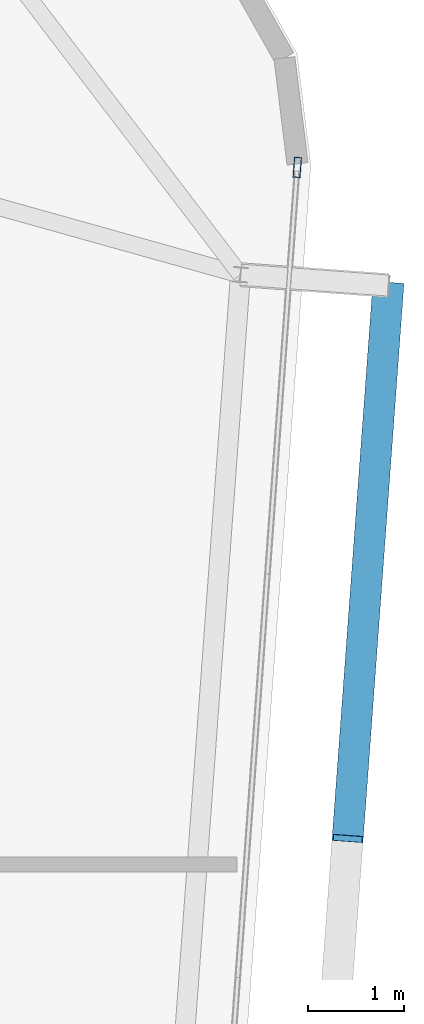
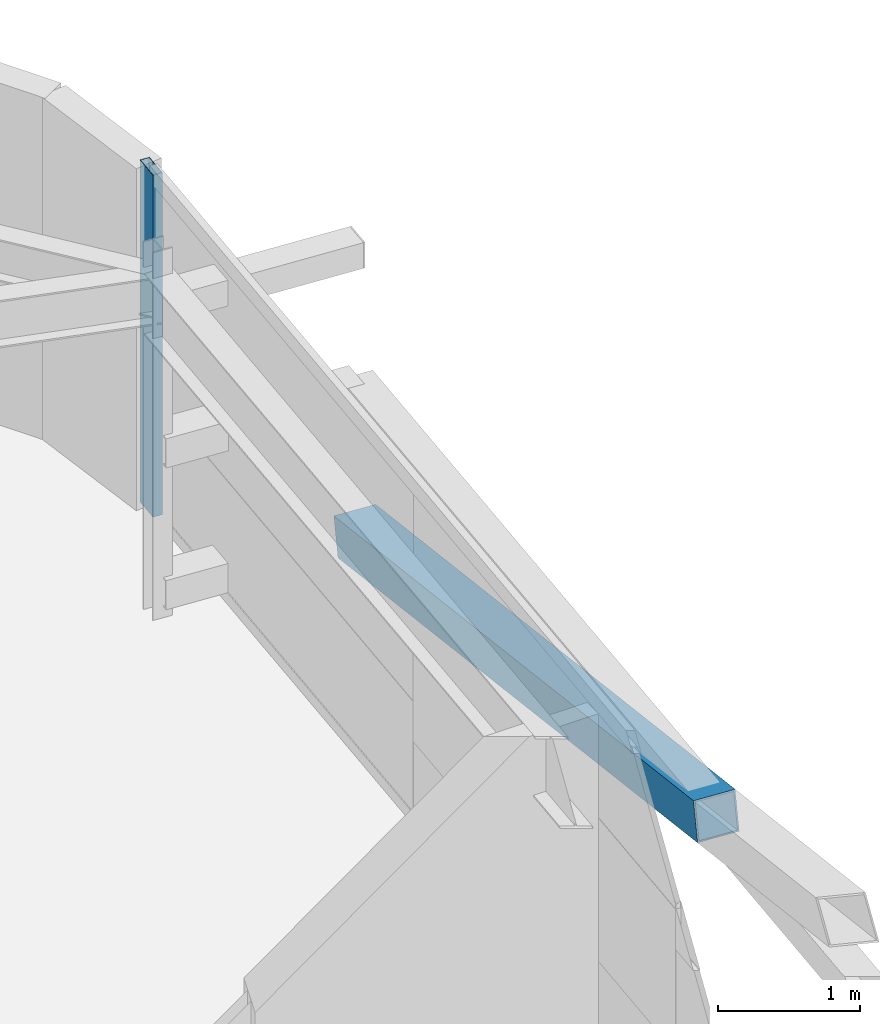
# One storey, part 19 of 35: 2 members, 1 element without a shape of its own.
"""IFC4 building model written with IfcOpenShell, lengths in metres."""

from ifc_helpers import new_model, si_unit, direction, frame, origin, origin_2d, place, context, subcontext, project, spatial, hollow_rectangle, extrude, source, transform, mapped, material, layer, layer_set, material_profile, profile_set, type_object, element, aggregate, save


model = new_model("IFC4")

# Units and contexts
model_context = context("Model", 3, precision=1e-05, world=origin(), true_north=direction((0.0, 1.0)))
body_context = subcontext(model_context, "Body", "Model", "MODEL_VIEW")
ifc_project = project(units=[si_unit("LENGTHUNIT", "METRE"), si_unit("AREAUNIT", "SQUARE_METRE"), si_unit("VOLUMEUNIT", "CUBIC_METRE"), si_unit("PLANEANGLEUNIT", "RADIAN"), si_unit("MASSUNIT", "GRAM", prefix="KILO")], contexts=[model_context])

# Site, building, storey
site_placement = place(None, origin())
site = spatial("IfcSite", under=ifc_project, at=site_placement, CompositionType="ELEMENT")
building_placement = place(site_placement, origin())
building = spatial("IfcBuilding", under=site, at=building_placement, Name="Taldren Reach Tower", CompositionType="ELEMENT")
storey_placement = place(building_placement, frame((0.0, 0.0, 236.60009765625)))
storey = spatial("IfcBuildingStorey", under=building, at=storey_placement, Name="L72", CompositionType="ELEMENT", Elevation=236.60009765625)

# Member
ifc_material_1 = material(Name="Steel Gr 450 (C450L0)", Category="steel")
ifc_material_profile_1 = material_profile(ifc_material_1, hollow_rectangle(XDim=0.324951171875, YDim=0.324951171875, WallThickness=0.0126953125, at=origin_2d()), Name="325x325x12.7SHS")
ifc_profile_set_1 = profile_set([ifc_material_profile_1], Name="Steel Gr 450 (C450L0)")
member_type_1 = type_object("IfcMemberType", Name="MB-BR324", PredefinedType="BRACE", material=ifc_profile_set_1)
shared_shape_1 = source(origin(), body_context, "Body", "SweptSolid", [
    extrude(hollow_rectangle(XDim=0.324951171875, YDim=0.324951171875, WallThickness=0.0126953125, at=origin_2d()), origin(), (0.0, 0.0, 1.0), 5.92578125),
])
member_1_placement = place(storey_placement, frame((59.086669921875, 30.05517578125, 0.219970703125), z_axis=(-0.071686540919, -0.976131732187, 0.205007027365), x_axis=(0.997314185625, -0.073242167855, 0.0)))
element("IfcMember", 1, at=member_1_placement, inside=storey, type_object=member_type_1, Name="Exoskeleton Diagrid Brace B5-E2 L72", PredefinedType="BRACE", context=body_context, shape_type="MappedRepresentation", body=[
    mapped(shared_shape_1, transform((0.0, 0.0, 0.0), scale=1.0)),
])

# Curtain wall, member
ifc_material_2 = material(Name="Aluminium and Low-E Glass Unitised System", Category="aluminium")
ifc_layer = layer(ifc_material_2, 0.159912109375)
ifc_layer_set = layer_set([ifc_layer], Name="Aluminium and Low-E Glass Unitised System")
curtain_wall_type = type_object("IfcCurtainWallType", Name="CW-SYS-6", PredefinedType="NOTDEFINED", material=ifc_layer_set)
curtain_wall_placement = place(storey_placement, origin())
curtain_wall = element("IfcCurtainWall", 2, at=curtain_wall_placement, inside=storey, type_object=curtain_wall_type, Name="Unitised curtain wall CW-L72-E", PredefinedType="NOTDEFINED")
ifc_material_3 = material(Name="Anodised Aluminium 6063-T6", Category="aluminium")
ifc_material_profile_2 = material_profile(ifc_material_3, hollow_rectangle(XDim=0.074951171875, YDim=0.2099609375, WallThickness=0.00439453125, at=origin_2d()), Name="ALU-210x75x4.5RHS")
ifc_profile_set_2 = profile_set([ifc_material_profile_2], Name="Anodised Aluminium 6063-T6")
member_type_2 = type_object("IfcMemberType", Name="CW-MUL-200", PredefinedType="MULLION", material=ifc_profile_set_2)
shared_shape_2 = source(origin(), body_context, "Body", "SweptSolid", [
    extrude(hollow_rectangle(XDim=0.074951171875, YDim=0.2099609375, WallThickness=0.00439453125, at=origin_2d()), origin(), (0.0, 0.0, 1.0), 2.929931640625),
])
member_2_placement = place(storey_placement, frame((58.134765625, 31.29052734375, 0.0), z_axis=(0.0, 0.0, 1.0), x_axis=(-0.997314470951, 0.073238282558, 0.0)))
member_2 = element("IfcMember", 3, at=member_2_placement, type_object=member_type_2, Name="CW-6 mullion 3", PredefinedType="MULLION", context=body_context, shape_type="MappedRepresentation", body=[
    mapped(shared_shape_2, transform((0.0, 0.0, 0.0), scale=1.0)),
])
aggregate(curtain_wall, [member_2])

save(model, "model.ifc")
